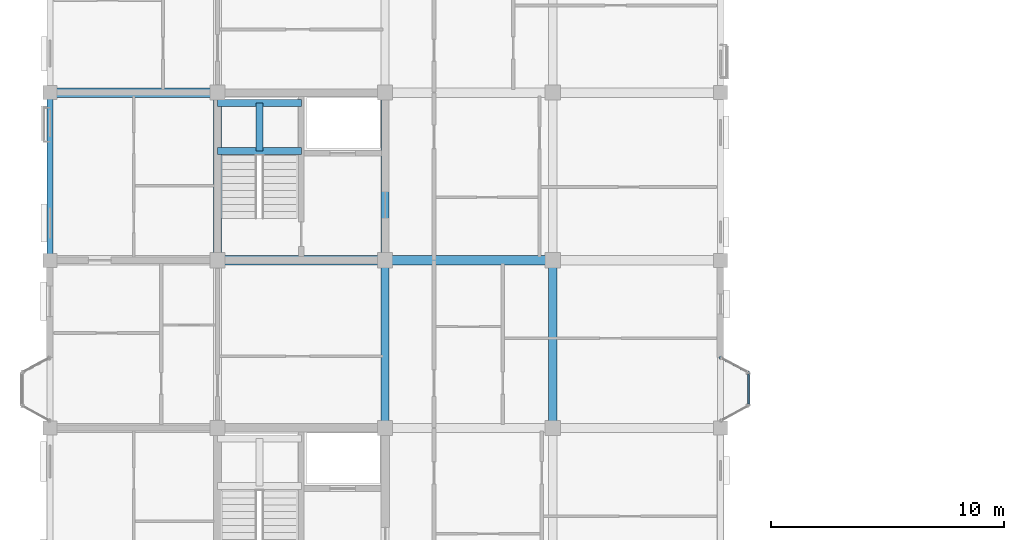
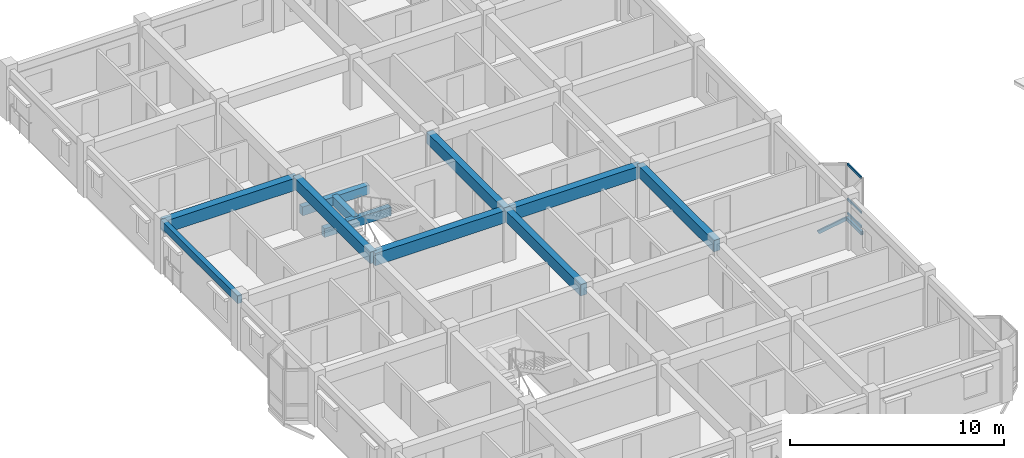
# One storey, part 10 of 124: 11 beams, 5 members, 1 element without a shape of its own.
"""IFC4 building model written with IfcOpenShell, lengths in metres."""

from ifc_helpers import new_model, si_unit, direction, frame, origin, origin_2d, place, context, subcontext, project, spatial, rectangle, hollow_rectangle, extrude, material, layer, layer_set, material_profile, profile_set, type_object, element, aggregate, save


model = new_model("IFC4")

# Units and contexts
model_context = context("Model", 3, precision=1e-05, world=origin(), true_north=direction((0.0, 1.0)))
body_context = subcontext(model_context, "Body", "Model", "MODEL_VIEW")
ifc_project = project(units=[si_unit("LENGTHUNIT", "METRE"), si_unit("AREAUNIT", "SQUARE_METRE"), si_unit("VOLUMEUNIT", "CUBIC_METRE"), si_unit("PLANEANGLEUNIT", "RADIAN"), si_unit("MASSUNIT", "GRAM", prefix="KILO"), si_unit("THERMODYNAMICTEMPERATUREUNIT", "KELVIN"), si_unit("POWERUNIT", "WATT")], contexts=[model_context])

# Site, building, storey
site_placement = place(None, origin())
site = spatial("IfcSite", under=ifc_project, at=site_placement, CompositionType="ELEMENT")
building_placement = place(site_placement, origin())
building = spatial("IfcBuilding", under=site, at=building_placement, Name="Tavuni Mirador Residences", CompositionType="ELEMENT")
storey_placement = place(building_placement, frame((0.0, 0.0, 7.64990234375)))
storey = spatial("IfcBuildingStorey", under=building, at=storey_placement, Name="L02", CompositionType="ELEMENT", Elevation=7.64990234375)

# Beams
ifc_material_1 = material(Name="Precast concrete C40/50", Category="concrete")
ifc_material_profile_1 = material_profile(ifc_material_1, rectangle(XDim=0.300048828125, YDim=0.5, at=origin_2d()), Name="PC 300x500", Category="concrete")
ifc_profile_set_1 = profile_set([ifc_material_profile_1], Name="Precast concrete C40/50")
beam_type_1 = type_object("IfcBeamType", Name="BT-B500", PredefinedType="BEAM", material=ifc_profile_set_1)
for number, where, z_axis, x_axis, name in (
    (1, (10.800048828125, 33.5, 1.14501953125), (1.0, 0.0, 0.0), (0.0, 1.0, 0.0), "HLB1-C2-L02"),
    (2, (10.800048828125, 35.550048828125, 1.14501953125), (1.0, 0.0, 0.0), (0.0, 1.0, 0.0), "HLB2-C2-L02"),
):
    element("IfcBeam", number, at=place(storey_placement, frame(where, z_axis=z_axis, x_axis=x_axis)), inside=storey, type_object=beam_type_1, Name=name, PredefinedType="BEAM", context=body_context, shape_type="SweptSolid", body=[
        extrude(rectangle(XDim=0.300048828125, YDim=0.5, at=origin_2d()), origin(), (0.0, 0.0, 1.0), 3.599853515625),
    ])
beam_1_placement = place(storey_placement, frame((12.60009765625, 33.5, 1.14501953125), z_axis=(0.0, 1.0, 0.0), x_axis=(-1.0, 0.0, 0.0)))
element("IfcBeam", 3, at=beam_1_placement, inside=storey, type_object=beam_type_1, Name="HLB3-C2-L02", PredefinedType="BEAM", context=body_context, shape_type="SweptSolid", body=[
    extrude(rectangle(XDim=0.300048828125, YDim=0.5, at=origin_2d()), origin(), (0.0, 0.0, 1.0), 2.050048828125),
])
ifc_material_profile_2 = material_profile(ifc_material_1, rectangle(XDim=0.35009765625, YDim=0.64990234375, at=origin_2d()), Name="PC 350x650", Category="concrete")
ifc_profile_set_2 = profile_set([ifc_material_profile_2], Name="Precast concrete C40/50")
beam_type_2 = type_object("IfcBeamType", Name="BT-B650", PredefinedType="BEAM", material=ifc_profile_set_2)
for number, where, z_axis, x_axis, name in (
    (4, (10.800048828125, 28.800048828125, 2.545166015625), (0.0, 1.0, 0.0), (-1.0, 0.0, 0.0), "BMY-BLK-A-L02-01-03"),
    (5, (18.0, 21.60009765625, 2.545166015625), (0.0, 1.0, 0.0), (-1.0, 0.0, 0.0), "BMY-BLK-A-L02-02-02"),
    (6, (18.0, 28.800048828125, 2.545166015625), (0.0, 1.0, 0.0), (-1.0, 0.0, 0.0), "BMY-BLK-A-L02-02-03"),
    (7, (25.199951171875, 21.60009765625, 2.545166015625), (0.0, 1.0, 0.0), (-1.0, 0.0, 0.0), "BMY-BLK-A-L02-03-02"),
):
    element("IfcBeam", number, at=place(storey_placement, frame(where, z_axis=z_axis, x_axis=x_axis)), inside=storey, type_object=beam_type_2, Name=name, PredefinedType="BEAM", context=body_context, shape_type="SweptSolid", body=[
        extrude(rectangle(XDim=0.35009765625, YDim=0.64990234375, at=origin_2d()), origin(), (0.0, 0.0, 1.0), 7.199951171875),
    ])
ifc_material_profile_3 = material_profile(ifc_material_1, rectangle(XDim=0.39990234375, YDim=0.699951171875, at=origin_2d()), Name="PC 400x700", Category="concrete")
ifc_profile_set_3 = profile_set([ifc_material_profile_3], Name="Precast concrete C40/50")
beam_type_3 = type_object("IfcBeamType", Name="BT-B700", PredefinedType="BEAM", material=ifc_profile_set_3)
for number, where, z_axis, x_axis, name in (
    (8, (10.800048828125, 28.800048828125, 2.52001953125), (1.0, 0.0, 0.0), (0.0, 1.0, 0.0), "BMX-BLK-A-L02-01-03"),
    (9, (18.0, 28.800048828125, 2.52001953125), (1.0, 0.0, 0.0), (0.0, 1.0, 0.0), "BMX-BLK-A-L02-02-03"),
    (10, (3.60009765625, 36.0, 2.52001953125), (1.0, 0.0, 0.0), (0.0, 1.0, 0.0), "BMX-BLK-A-L02-00-04"),
):
    element("IfcBeam", number, at=place(storey_placement, frame(where, z_axis=z_axis, x_axis=x_axis)), inside=storey, type_object=beam_type_3, Name=name, PredefinedType="BEAM", context=body_context, shape_type="SweptSolid", body=[
        extrude(rectangle(XDim=0.39990234375, YDim=0.699951171875, at=origin_2d()), origin(), (0.0, 0.0, 1.0), 7.199951171875),
    ])
ifc_material_profile_4 = material_profile(ifc_material_1, rectangle(XDim=0.25, YDim=0.419921875, at=origin_2d()), Name="PC 250x420", Category="concrete")
ifc_profile_set_4 = profile_set([ifc_material_profile_4], Name="Precast concrete C40/50")
beam_type_4 = type_object("IfcBeamType", Name="BT-SP420", PredefinedType="SPANDREL", material=ifc_profile_set_4)
beam_2_placement = place(storey_placement, frame((3.60009765625, 28.800048828125, 2.66015625), z_axis=(0.0, 1.0, 0.0), x_axis=(-1.0, 0.0, 0.0)))
element("IfcBeam", 11, at=beam_2_placement, inside=storey, type_object=beam_type_4, Name="BMY-BLK-A-L02-00-03", PredefinedType="SPANDREL", context=body_context, shape_type="SweptSolid", body=[
    extrude(rectangle(XDim=0.25, YDim=0.419921875, at=origin_2d()), origin(), (0.0, 0.0, 1.0), 7.199951171875),
])

# Curtain wall, members
ifc_material_2 = material(Name="Anodised aluminium", Category="aluminium")
ifc_layer = layer(ifc_material_2, 0.14990234375, Name="Anodised aluminium", Category="aluminium")
ifc_layer_set = layer_set([ifc_layer], Name="Anodised aluminium")
curtain_wall_type = type_object("IfcCurtainWallType", Name="CWT-MIR-B", PredefinedType="NOTDEFINED", material=ifc_layer_set)
curtain_wall_placement = place(storey_placement, origin())
curtain_wall = element("IfcCurtainWall", 12, at=curtain_wall_placement, inside=storey, type_object=curtain_wall_type, Name="CW-MIR-A-E2-L02-MF", PredefinedType="NOTDEFINED")
ifc_material_profile_5 = material_profile(ifc_material_2, hollow_rectangle(XDim=0.06494140625, YDim=0.125, WallThickness=0.00439453125, at=origin_2d()), Name="ALU 65x125x4.5", Category="aluminium")
ifc_profile_set_5 = profile_set([ifc_material_profile_5], Name="Anodised aluminium")
member_type_1 = type_object("IfcMemberType", Name="CWT-125", PredefinedType="USERDEFINED", material=ifc_profile_set_5)
member_1_placement = place(storey_placement, frame((33.60009765625, 22.625, 0.03271484375), z_axis=(0.0, 1.0, 0.0), x_axis=(-1.0, 0.0, 0.0)))
member_1 = element("IfcMember", 13, at=member_1_placement, type_object=member_type_1, Name="CW-02 transom 1.1", ObjectType="TRANSOM", PredefinedType="USERDEFINED", context=body_context, shape_type="SweptSolid", body=[
    extrude(hollow_rectangle(XDim=0.06494140625, YDim=0.125, WallThickness=0.00439453125, at=origin_2d()), origin(), (0.0, 0.0, 1.0), 1.2900390625),
])
member_2_placement = place(storey_placement, frame((33.60009765625, 22.625, 0.85009765625), z_axis=(0.0, 1.0, 0.0), x_axis=(-1.0, 0.0, 0.0)))
member_2 = element("IfcMember", 14, at=member_2_placement, type_object=member_type_1, Name="CW-02 transom 1.2", ObjectType="TRANSOM", PredefinedType="USERDEFINED", context=body_context, shape_type="SweptSolid", body=[
    extrude(hollow_rectangle(XDim=0.06494140625, YDim=0.125, WallThickness=0.00439453125, at=origin_2d()), origin(), (0.0, 0.0, 1.0), 1.2900390625),
])
member_3_placement = place(storey_placement, frame((33.60009765625, 22.625, 2.837646484375), z_axis=(0.0, 1.0, 0.0), x_axis=(-1.0, 0.0, 0.0)))
member_3 = element("IfcMember", 15, at=member_3_placement, type_object=member_type_1, Name="CW-02 transom 1.3", ObjectType="TRANSOM", PredefinedType="USERDEFINED", context=body_context, shape_type="SweptSolid", body=[
    extrude(hollow_rectangle(XDim=0.06494140625, YDim=0.125, WallThickness=0.00439453125, at=origin_2d()), origin(), (0.0, 0.0, 1.0), 1.2900390625),
])
aggregate(curtain_wall, [member_1, member_2, member_3])

# Members
ifc_material_3 = material(Name="Structural steel S355", Category="steel")
ifc_material_profile_6 = material_profile(ifc_material_3, hollow_rectangle(XDim=0.10009765625, YDim=0.179931640625, WallThickness=0.008056640625, at=origin_2d()), Name="RHS 180x100x8.0", Category="steel")
ifc_profile_set_6 = profile_set([ifc_material_profile_6], Name="Structural steel S355")
member_type_2 = type_object("IfcMemberType", Name="MT-BR-RHS180", PredefinedType="BRACE", material=ifc_profile_set_6)
member_4_placement = place(storey_placement, frame((32.39990234375, 24.6201171875, -1.0498046875), z_axis=(0.767847080655, -0.409539268811, 0.492634192918), x_axis=(0.470606866739, 0.882343004153, 0.0)))
element("IfcMember", 16, at=member_4_placement, inside=storey, type_object=member_type_2, Name="MBRK-MIR-A-E2-L02-2", PredefinedType="BRACE", context=body_context, shape_type="SweptSolid", body=[
    extrude(hollow_rectangle(XDim=0.10009765625, YDim=0.179931640625, WallThickness=0.008056640625, at=origin_2d()), origin(), (0.0, 0.0, 1.0), 1.56298828125),
])
ifc_material_profile_7 = material_profile(ifc_material_3, hollow_rectangle(XDim=0.1201171875, YDim=0.199951171875, WallThickness=0.010009765625, at=origin_2d()), Name="RHS 200x120x10.0", Category="steel")
ifc_profile_set_7 = profile_set([ifc_material_profile_7], Name="Structural steel S355")
member_type_3 = type_object("IfcMemberType", Name="MT-ST-RHS200", PredefinedType="STRUT", material=ifc_profile_set_7)
member_5_placement = place(storey_placement, frame((33.60009765625, 22.56005859375, -0.27978515625), z_axis=(0.0, 1.0, 0.0), x_axis=(-1.0, 0.0, 0.0)))
element("IfcMember", 17, at=member_5_placement, inside=storey, type_object=member_type_3, Name="MRIM-MIR-A-E2-L02", PredefinedType="STRUT", context=body_context, shape_type="SweptSolid", body=[
    extrude(hollow_rectangle(XDim=0.1201171875, YDim=0.199951171875, WallThickness=0.010009765625, at=origin_2d()), origin(), (0.0, 0.0, 1.0), 1.419921875),
])

save(model, "model.ifc")
